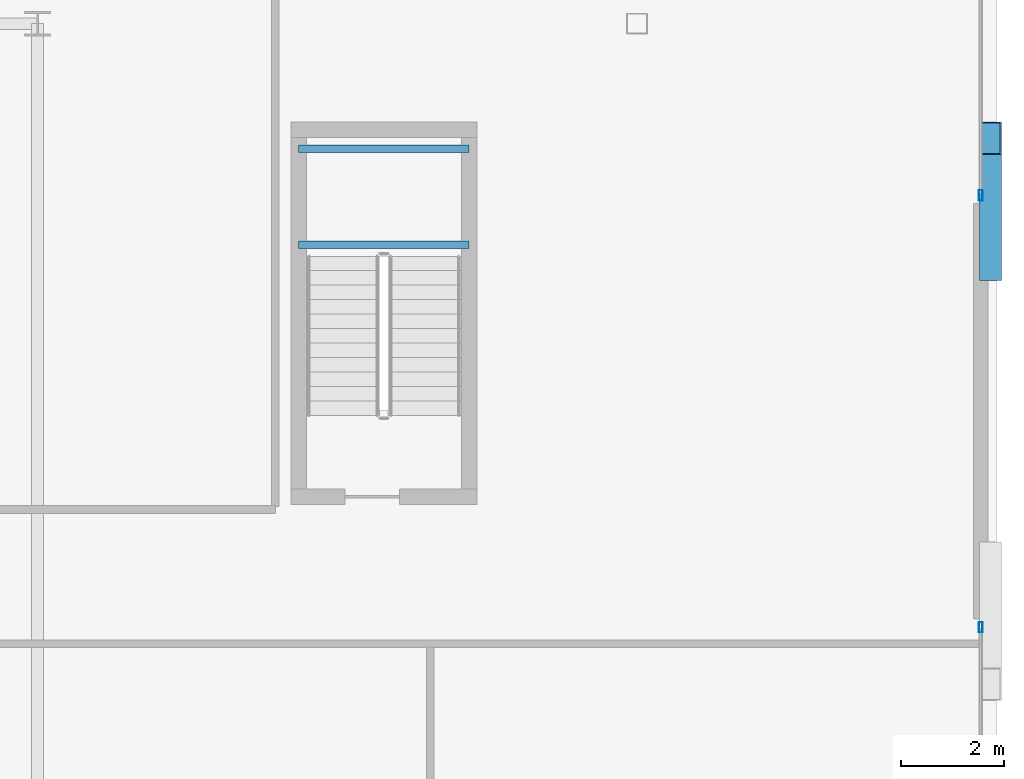
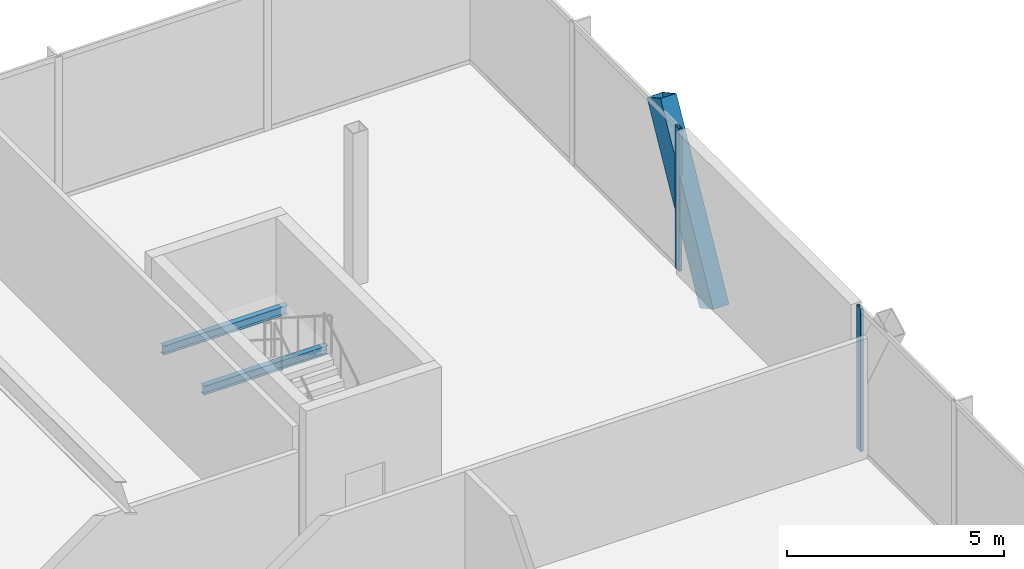
# One storey, part 28 of 42: 3 members, 2 beams, 2 elements without a shape of their own.
"""IFC4 building model written with IfcOpenShell, lengths in metres."""

import ifcopenshell
import ifcopenshell.guid

model = None  # the IFC model being written
_history = None  # IfcOwnerHistory: only IFC2X3 demands one
_inside = {}  # id of a spatial element -> (the spatial element, [elements in it])
_under = {}  # id of a project, library or spatial element -> (it, [spatial elements below it])
_declared = {}  # id of a project -> (the project, [libraries it declares])
_typed = {}  # id of a type object -> (the type object, [elements of that type])
_made_of = {}  # id of a material, layer set ... -> (it, [elements and type objects made of it])


def new_model(schema):
    """Start an empty IFC model of exactly this schema.

    Asked for "IFC4X3", IfcOpenShell would pick the latest addendum, in which some entities
    have other attributes; the version numbers below select the first issue.
    IFC2X3 requires an IfcOwnerHistory on every rooted entity: one is made here for all.
    """
    global model, _history
    if schema == "IFC4X3":
        model = ifcopenshell.file(schema_version=(4, 3, 0, 0))
    else:
        model = ifcopenshell.file(schema=schema)
    _inside.clear()
    _under.clear()
    _declared.clear()
    _typed.clear()
    _made_of.clear()
    _history = None
    if model.schema == "IFC2X3":
        org = make("IfcOrganization", Name="unknown")
        user = make(
            "IfcPersonAndOrganization",
            ThePerson=make("IfcPerson", FamilyName="unknown"),
            TheOrganization=org,
        )
        app = make(
            "IfcApplication",
            ApplicationDeveloper=org,
            Version="unknown",
            ApplicationFullName="unknown",
            ApplicationIdentifier="unknown",
        )
        _history = make(
            "IfcOwnerHistory",
            OwningUser=user,
            OwningApplication=app,
            ChangeAction="ADDED",
            CreationDate=0,
        )
    return model


def make(cls, **values):
    """One entity of the class cls with the attributes given. An attribute that is None is left unset."""
    return model.create_entity(
        cls, **{name: value for name, value in values.items() if value is not None}
    )


def rooted(cls, **values):
    """An entity with a GlobalId (a new one), such as an element, a storey or a relation."""
    return make(cls, GlobalId=ifcopenshell.guid.new(), OwnerHistory=_history, **values)


def si_unit(unit_type, name, prefix=None):
    """IfcSIUnit, for example si_unit("LENGTHUNIT", "METRE", prefix="MILLI")."""
    return make("IfcSIUnit", UnitType=unit_type, Prefix=prefix, Name=name)


def assignment(units):
    """IfcUnitAssignment: the units of a project."""
    return None if units is None else make("IfcUnitAssignment", Units=units)


def point(xyz):
    """IfcCartesianPoint."""
    return None if xyz is None else make("IfcCartesianPoint", Coordinates=xyz)


def direction(xyz):
    """IfcDirection."""
    return None if xyz is None else make("IfcDirection", DirectionRatios=xyz)


def frame(location, z_axis=None, x_axis=None):
    """IfcAxis2Placement3D, a coordinate frame: its origin and axes. An axis left out is left unset."""
    return make(
        "IfcAxis2Placement3D",
        Location=point(location),
        Axis=direction(z_axis),
        RefDirection=direction(x_axis),
    )


def frame_2d(location, x_axis=None):
    """IfcAxis2Placement2D, a coordinate frame in the plane: its origin and x axis."""
    return make(
        "IfcAxis2Placement2D", Location=point(location), RefDirection=direction(x_axis)
    )


def origin():
    """The frame at (0, 0, 0) with its axes left unset."""
    return frame((0.0, 0.0, 0.0))


def origin_2d():
    """The frame at (0, 0) in the plane with its x axis left unset."""
    return frame_2d((0.0, 0.0))


def place(relative_to, where):
    """IfcLocalPlacement: puts the frame where relative to a parent placement (None: the world)."""
    return make(
        "IfcLocalPlacement", PlacementRelTo=relative_to, RelativePlacement=where
    )


def context(
    kind, dimensions, precision=None, world=None, true_north=None, identifier=None
):
    """IfcGeometricRepresentationContext, for example the 3D "Model" context."""
    return make(
        "IfcGeometricRepresentationContext",
        ContextIdentifier=identifier,
        ContextType=kind,
        CoordinateSpaceDimension=dimensions,
        Precision=precision,
        WorldCoordinateSystem=world,
        TrueNorth=true_north,
    )


def subcontext(parent, identifier, kind, view, scale=None):
    """IfcGeometricRepresentationSubContext, for example "Body" below "Model"."""
    return make(
        "IfcGeometricRepresentationSubContext",
        ContextIdentifier=identifier,
        ContextType=kind,
        ParentContext=parent,
        TargetScale=scale,
        TargetView=view,
    )


def project(units=None, contexts=None):
    """IfcProject with its units and contexts."""
    return rooted(
        "IfcProject",
        Name="project",
        RepresentationContexts=contexts,
        UnitsInContext=assignment(units),
    )


def spatial(cls, under=None, at=None, **own):
    """A site, building, storey or space (cls), placed at a placement, below another one or the project."""
    s = rooted(cls, ObjectPlacement=at, **own)
    if under is not None:
        _under.setdefault(under.id(), (under, []))[1].append(s)
    return s


def profile(cls, at=None, kind="AREA", **sizes):
    """A parametric profile (cls). Its sizes go by their IFC names, for example OverallWidth=200.0."""
    return make(cls, ProfileType=kind, Position=at, **sizes)


def hollow_rectangle(**sizes):
    """IfcRectangleHollowProfileDef."""
    return profile("IfcRectangleHollowProfileDef", **sizes)


def i_section(**sizes):
    """IfcIShapeProfileDef."""
    return profile("IfcIShapeProfileDef", **sizes)


def extrude(swept, where, along, depth):
    """IfcExtrudedAreaSolid: the profile swept, set in the frame where, extruded along a direction by depth."""
    return make(
        "IfcExtrudedAreaSolid",
        SweptArea=swept,
        Position=where,
        ExtrudedDirection=direction(along),
        Depth=depth,
    )


def shape(context_of_items, identifier, shape_type, items):
    """IfcShapeRepresentation: the items that make up one representation, for example the "Body"."""
    return make(
        "IfcShapeRepresentation",
        ContextOfItems=context_of_items,
        RepresentationIdentifier=identifier,
        RepresentationType=shape_type,
        Items=items,
    )


def material(Name=None, Category=None):
    """IfcMaterial."""
    return make("IfcMaterial", Name=Name, Category=Category)


def layer(
    of_material, thickness, ventilated=None, Name=None, Category=None, Priority=None
):
    """IfcMaterialLayer: one layer of a wall or slab, of a material (None: an air gap)."""
    return make(
        "IfcMaterialLayer",
        Material=of_material,
        LayerThickness=thickness,
        IsVentilated=ventilated,
        Name=Name,
        Category=Category,
        Priority=Priority,
    )


def layer_set(layers, Name=None):
    """IfcMaterialLayerSet."""
    return make("IfcMaterialLayerSet", MaterialLayers=layers, LayerSetName=Name)


def material_profile(
    of_material, cross_section, Name=None, Category=None, Priority=None
):
    """IfcMaterialProfile: a cross section and its material."""
    return make(
        "IfcMaterialProfile",
        Name=Name,
        Material=of_material,
        Profile=cross_section,
        Priority=Priority,
        Category=Category,
    )


def profile_set(profiles, Name=None, composite=None):
    """IfcMaterialProfileSet."""
    return make(
        "IfcMaterialProfileSet",
        Name=Name,
        MaterialProfiles=profiles,
        CompositeProfile=composite,
    )


def made_of(thing, what):
    """Note that an element or type object is made of a material, layer set ...; save() writes the relation."""
    if what is not None:
        _made_of.setdefault(what.id(), (what, []))[1].append(thing)
    return thing


def type_object(cls, material=None, **own):
    """A type object (cls), such as IfcWallType, which elements share."""
    return made_of(rooted(cls, **own), material)


def element(
    cls,
    number,
    at=None,
    inside=None,
    cuts=None,
    type_object=None,
    material=None,
    context=None,
    identifier="Body",
    shape_type=None,
    held_by="IfcProductDefinitionShape",
    body=None,
    shapes=None,
    **own,
):
    """One element of the class cls, such as IfcWall. Its Tag is "e" and its number.

    at: its placement. inside: the storey or other place that contains it. cuts: it is an
    opening in that element (IfcRelVoidsElement). A single representation is given by context,
    identifier, shape_type and body (its items); several are given by shapes. held_by: the class
    of the entity that holds the representations. save() writes the other relations.
    """
    e = rooted(cls, Tag="e%d" % number, ObjectPlacement=at, **own)
    if body is not None:
        shapes = [shape(context, identifier, shape_type, body)]
    if shapes is not None:
        e.Representation = make(held_by, Representations=shapes)
    if inside is not None:
        _inside.setdefault(inside.id(), (inside, []))[1].append(e)
    if cuts is not None:
        rooted(
            "IfcRelVoidsElement", RelatingBuildingElement=cuts, RelatedOpeningElement=e
        )
    if type_object is not None:
        _typed.setdefault(type_object.id(), (type_object, []))[1].append(e)
    return made_of(e, material)


def aggregate(whole, parts):
    """IfcRelAggregates: a whole, such as a stair, and the parts it consists of."""
    return rooted("IfcRelAggregates", RelatingObject=whole, RelatedObjects=parts)


def save(model, path):
    """Write the relations noted so far, then the file.

    IfcRelAggregates (storeys below a building ...), IfcRelContainedInSpatialStructure (elements
    in a storey), IfcRelDefinesByType, IfcRelAssociatesMaterial and IfcRelDeclares: one each for
    every whole, place, type object, material and project.
    """
    for whole, parts in _under.values():
        aggregate(whole, parts)
    for where, things in _inside.values():
        rooted(
            "IfcRelContainedInSpatialStructure",
            RelatedElements=things,
            RelatingStructure=where,
        )
    for kind, things in _typed.values():
        rooted("IfcRelDefinesByType", RelatedObjects=things, RelatingType=kind)
    for what, things in _made_of.values():
        rooted("IfcRelAssociatesMaterial", RelatedObjects=things, RelatingMaterial=what)
    for by, libraries in _declared.values():
        rooted("IfcRelDeclares", RelatingContext=by, RelatedDefinitions=libraries)
    model.write(path)


model = new_model("IFC4")

# Units and contexts
model_context = context("Model", 3, precision=1e-05, world=origin(), true_north=direction((0.0, 1.0)))
body_context = subcontext(model_context, "Body", "Model", "MODEL_VIEW")
ifc_project = project(units=[si_unit("LENGTHUNIT", "METRE"), si_unit("AREAUNIT", "SQUARE_METRE"), si_unit("VOLUMEUNIT", "CUBIC_METRE"), si_unit("PLANEANGLEUNIT", "RADIAN"), si_unit("MASSUNIT", "GRAM", prefix="KILO")], contexts=[model_context])

# Site, building, storey
site_placement = place(None, origin())
site = spatial("IfcSite", under=ifc_project, at=site_placement, CompositionType="ELEMENT")
building_placement = place(site_placement, origin())
building = spatial("IfcBuilding", under=site, at=building_placement, Name="Orvanel Arch Residences", CompositionType="ELEMENT")
storey_placement = place(building_placement, frame((0.0, 0.0, 5.5)))
storey = spatial("IfcBuildingStorey", under=building, at=storey_placement, Name="L01", CompositionType="ELEMENT", Elevation=5.5)

# Beams
ifc_material_1 = material(Name="Structural steel AS/NZS 3679.1 Grade 300 (300 MPa)", Category="steel")
ifc_material_profile_1 = material_profile(ifc_material_1, i_section(OverallWidth=0.14599609375, OverallDepth=0.251953125, WebThickness=0.006103515625, FlangeThickness=0.008544921875, at=origin_2d()), Name="250UB31.4")
ifc_profile_set_1 = profile_set([ifc_material_profile_1], Name="Structural steel AS/NZS 3679.1 Grade 300 (300 MPa)")
beam_type = type_object("IfcBeamType", Name="BJ-250UB", PredefinedType="JOIST", material=ifc_profile_set_1)
for number, where, z_axis, x_axis, name in (
    (1, (51.25, 43.719970703125, 1.823974609375), (1.0, 0.0, 0.0), (0.0, 1.0, 0.0), "L01 ST-4 Half-Landing Support Beam 1.1"),
    (2, (51.25, 45.580078125, 1.823974609375), (1.0, 0.0, 0.0), (0.0, 1.0, 0.0), "L01 ST-4 Half-Landing Support Beam 1.2"),
):
    element("IfcBeam", number, at=place(storey_placement, frame(where, z_axis=z_axis, x_axis=x_axis)), inside=storey, type_object=beam_type, Name=name, PredefinedType="JOIST", context=body_context, shape_type="SweptSolid", body=[
        extrude(i_section(OverallWidth=0.14599609375, OverallDepth=0.251953125, WebThickness=0.006103515625, FlangeThickness=0.008544921875, at=origin_2d()), origin(), (0.0, 0.0, 1.0), 3.300048828125),
    ])

# Member
ifc_material_2 = material(Name="Structural steel AS/NZS 3678 Grade 350", Category="steel")
ifc_material_profile_2 = material_profile(ifc_material_2, hollow_rectangle(XDim=0.419921875, YDim=0.719970703125, WallThickness=0.02490234375, at=origin_2d()), Name="RHS720x420x25")
ifc_profile_set_2 = profile_set([ifc_material_profile_2], Name="Structural steel AS/NZS 3678 Grade 350")
member_type_1 = type_object("IfcMemberType", Name="BR-720RHS-EXT", PredefinedType="BRACE", material=ifc_profile_set_2)
member_1_placement = place(storey_placement, frame((64.639892578125, 43.345947265625, -0.300048828125), z_axis=(0.0, 0.480038670678, 0.877247328097), x_axis=(-1.0, 0.0, 0.0)))
element("IfcMember", 3, at=member_1_placement, inside=storey, type_object=member_type_1, Name="L01 Podium Multi-Storey V-Strut Pair E2 Leg 2", PredefinedType="BRACE", context=body_context, shape_type="SweptSolid", body=[
    extrude(hollow_rectangle(XDim=0.419921875, YDim=0.719970703125, WallThickness=0.02490234375, at=origin_2d()), origin(), (0.0, 0.0, 1.0), 5.072509765625),
])

# Curtain wall, member
ifc_material_3 = material(Name="Bronze-anodised aluminium AA6063-T6", Category="aluminium")
ifc_layer = layer(ifc_material_3, 0.199951171875)
ifc_layer_set = layer_set([ifc_layer], Name="Bronze-anodised aluminium AA6063-T6")
curtain_wall_type = type_object("IfcCurtainWallType", Name="CW1-POD-SYS", PredefinedType="NOTDEFINED", material=ifc_layer_set)
curtain_wall_1_placement = place(storey_placement, origin())
curtain_wall_1 = element("IfcCurtainWall", 4, at=curtain_wall_1_placement, inside=storey, type_object=curtain_wall_type, Name="L01 CW1-POD-SYS Unitised Curtain Wall", PredefinedType="NOTDEFINED")
ifc_material_profile_3 = material_profile(ifc_material_3, hollow_rectangle(XDim=0.074951171875, YDim=0.199951171875, WallThickness=0.0048828125, at=origin_2d()), Name="ALU200x75x5")
ifc_profile_set_3 = profile_set([ifc_material_profile_3], Name="Bronze-anodised aluminium AA6063-T6")
member_type_2 = type_object("IfcMemberType", Name="MUL-200x75", PredefinedType="MULLION", material=ifc_profile_set_3)
member_2_placement = place(storey_placement, frame((64.449951171875, 36.322509765625, 0.0), z_axis=(0.0, 0.0, 1.0), x_axis=(-1.0, 0.0, 0.0)))
member_2 = element("IfcMember", 5, at=member_2_placement, type_object=member_type_2, Name="CW-S1 mullion 5", PredefinedType="MULLION", context=body_context, shape_type="SweptSolid", body=[
    extrude(hollow_rectangle(XDim=0.074951171875, YDim=0.199951171875, WallThickness=0.0048828125, at=origin_2d()), origin(), (0.0, 0.0, 1.0), 4.02001953125),
])
aggregate(curtain_wall_1, [member_2])

curtain_wall_2_placement = place(storey_placement, origin())
curtain_wall_2 = element("IfcCurtainWall", 6, at=curtain_wall_2_placement, inside=storey, type_object=curtain_wall_type, Name="L01 CW1-POD-SYS Unitised Curtain Wall", PredefinedType="NOTDEFINED")
member_3_placement = place(storey_placement, frame((64.449951171875, 44.677490234375, 0.0), z_axis=(0.0, 0.0, 1.0), x_axis=(-1.0, 0.0, 0.0)))
member_3 = element("IfcMember", 7, at=member_3_placement, type_object=member_type_2, Name="CW-S1 mullion 1", PredefinedType="MULLION", context=body_context, shape_type="SweptSolid", body=[
    extrude(hollow_rectangle(XDim=0.074951171875, YDim=0.199951171875, WallThickness=0.0048828125, at=origin_2d()), origin(), (0.0, 0.0, 1.0), 4.02001953125),
])
aggregate(curtain_wall_2, [member_3])

save(model, "model.ifc")
